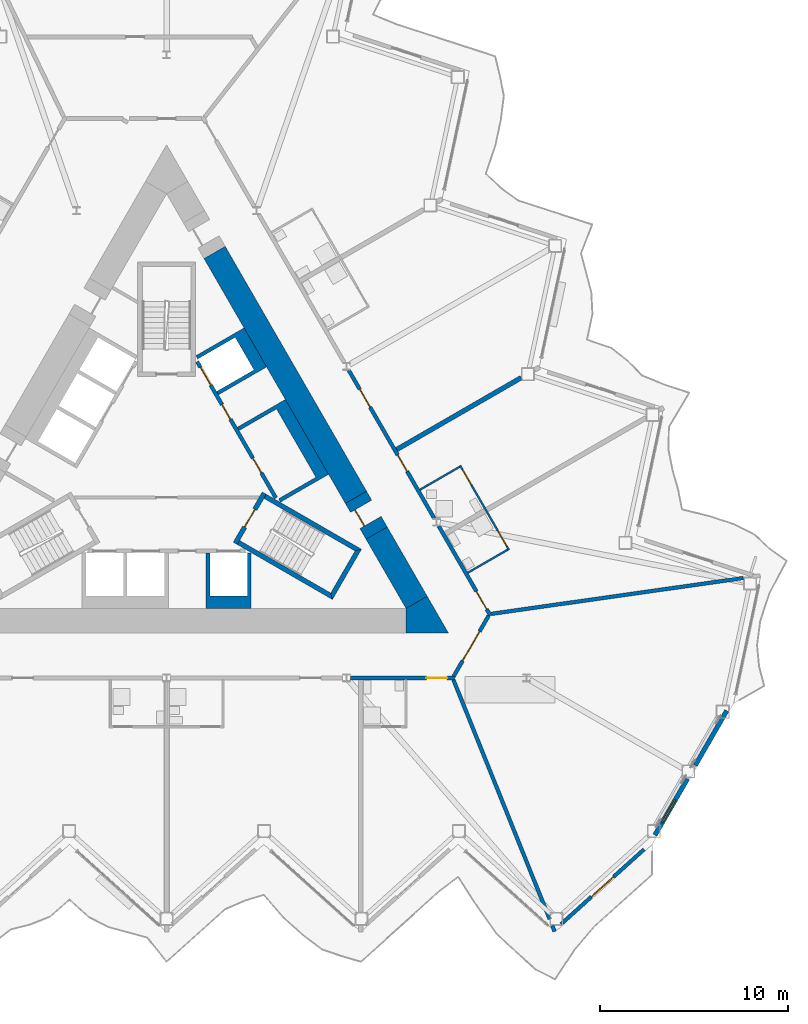
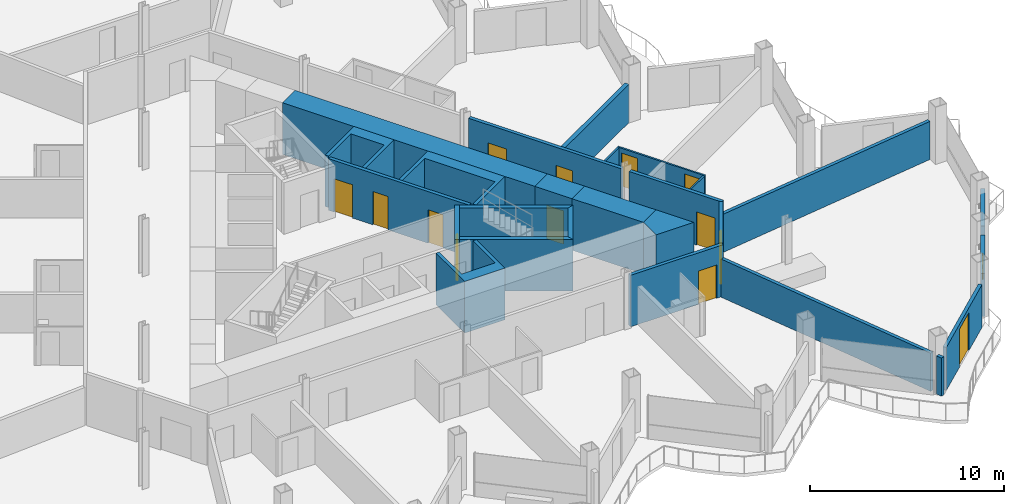
# One storey, part 13 of 24: 26 walls, 13 doors, 1 window, 14 openings.
"""IFC4 building model written with IfcOpenShell, lengths in metres."""

from ifc_helpers import new_model, si_unit, direction, frame, frame_2d, origin, place, context, subcontext, project, spatial, polyline, rectangle, outline, extrude, material, layer, layer_set, type_object, element, fill, save


model = new_model("IFC4")

# Units and contexts
model_context = context("Model", 3, precision=1e-05, world=origin(), true_north=direction((0.0, 1.0)))
body_context = subcontext(model_context, "Body", "Model", "MODEL_VIEW")
ifc_project = project(units=[si_unit("LENGTHUNIT", "METRE"), si_unit("AREAUNIT", "SQUARE_METRE"), si_unit("VOLUMEUNIT", "CUBIC_METRE"), si_unit("PLANEANGLEUNIT", "RADIAN"), si_unit("MASSUNIT", "GRAM", prefix="KILO")], contexts=[model_context])

# Site, building, storey
site_placement = place(None, origin())
site = spatial("IfcSite", under=ifc_project, at=site_placement, CompositionType="ELEMENT")
building_placement = place(site_placement, origin())
building = spatial("IfcBuilding", under=site, at=building_placement, Name="Cormorant Prow Tower", CompositionType="ELEMENT")
storey_placement = place(building_placement, frame((0.0, 0.0, 238.199951171875)))
storey = spatial("IfcBuildingStorey", under=building, at=storey_placement, Name="L52", CompositionType="ELEMENT", Elevation=238.199951171875)

# Walls
ifc_material_1 = material(Name="Concrete 8000 psi", Category="concrete")
ifc_layer_1 = layer(ifc_material_1, 1.300048828125)
ifc_layer_set_1 = layer_set([ifc_layer_1], Name="Concrete 8000 psi")
wall_type_1 = type_object("IfcWallType", Name="Core shear wall 1300", PredefinedType="SHEAR", material=ifc_layer_set_1)
wall_1_placement = place(storey_placement, frame((10.081298828125, -1.440673828125, 0.0), z_axis=(0.0, 0.0, 1.0), x_axis=(-0.500012180433, 0.866018371294, 0.0)))
element("IfcWall", 1, at=wall_1_placement, inside=storey, type_object=wall_type_1, Name="Core wall", PredefinedType="SHEAR", context=body_context, shape_type="SweptSolid", body=[
    extrude(rectangle(XDim=15.05029296875, YDim=1.300048828125, at=frame_2d((7.525146484375, 0.0))), origin(), (0.0, 0.0, 1.0), 3.25),
])
wall_2_placement = place(storey_placement, frame((13.311279296875, -7.035400390625, 0.0), z_axis=(0.0, 0.0, 1.0), x_axis=(-0.500003555838, 0.866023350811, 0.0)))
element("IfcWall", 2, at=wall_2_placement, inside=storey, type_object=wall_type_1, Name="Core wall", PredefinedType="SHEAR", context=body_context, shape_type="SweptSolid", body=[
    extrude(rectangle(XDim=4.26025390625, YDim=1.300048828125, at=frame_2d((2.130126953125, 0.0))), origin(), (0.0, 0.0, 1.0), 3.25),
])
wall_3_placement = place(storey_placement, origin())
element("IfcWall", 3, at=wall_3_placement, inside=storey, type_object=wall_type_1, Name="Core wall corner", PredefinedType="SHEAR", context=body_context, shape_type="SweptSolid", body=[
    extrude(outline(polyline([(12.748291015625, -8.660400390625), (12.748291015625, -7.3603515625), (13.874267578125, -6.710205078125), (15.0, -8.660400390625), (12.748291015625, -8.660400390625)])), origin(), (0.0, 0.0, 1.0), 3.25),
])

# Wall, opening, door
wall_4_placement = place(storey_placement, frame((11.18115234375, -3.345947265625, 0.0), z_axis=(0.0, 0.0, 1.0), x_axis=(-0.499946605688, 0.86605622881, 0.0)))
wall_4 = element("IfcWall", 4, at=wall_4_placement, inside=storey, type_object=wall_type_1, Name="Core wall door panel", PredefinedType="SHEAR", context=body_context, shape_type="SweptSolid", body=[
    extrude(rectangle(XDim=2.199951171875, YDim=1.300048828125, at=frame_2d((1.10009765625, 0.0))), origin(), (0.0, 0.0, 1.0), 3.25),
])
opening_1_placement = place(wall_4_placement, frame((0.64990234375, 0.0, 0.0)))
opening_1 = element("IfcOpeningElement", 5, at=opening_1_placement, cuts=wall_4, Name="Opening L52-C15", PredefinedType="OPENING", context=body_context, shape_type="SweptSolid", body=[
    extrude(rectangle(XDim=1.0, YDim=2.10009765625, at=frame_2d((0.5, 1.050048828125))), frame((0.0, 0.659912109375, 0.0), z_axis=(0.0, -1.0, 0.0), x_axis=(1.0, 0.0, 0.0)), (0.0, 0.0, 1.0), 1.320068359375),
])
ifc_material_2 = material(Name="Painted steel", Category="steel")
door_type_1 = type_object("IfcDoorType", Name="Service door 1000x2100", OperationType="NOTDEFINED", PredefinedType="DOOR", material=ifc_material_2)
door_1_placement = place(opening_1_placement, origin())
door_1 = element("IfcDoor", 6, at=door_1_placement, inside=storey, type_object=door_type_1, Name="Core door, Electrical room", OperationType="SINGLE_SWING_LEFT", OverallHeight=2.10009765625, OverallWidth=1.0, PredefinedType="DOOR", context=body_context, shape_type="SweptSolid", body=[
    extrude(rectangle(XDim=1.0, YDim=2.10009765625, at=frame_2d((0.5, 1.050048828125))), frame((0.0, 0.40478515625, 0.0), z_axis=(0.0, -1.0, 0.0), x_axis=(1.0, 0.0, 0.0)), (0.0, 0.0, 1.0), 0.050048828125),
])
fill(opening_1, door_1)

# Wall, openings, doors
ifc_material_3 = material(Name="Gypsum board corridor wall")
ifc_layer_2 = layer(ifc_material_3, 0.199951171875)
ifc_layer_set_2 = layer_set([ifc_layer_2], Name="Gypsum board corridor wall")
wall_type_2 = type_object("IfcWallType", Name="Corridor wall 200", PredefinedType="PARTITIONING", material=ifc_layer_set_2)
wall_5_placement = place(storey_placement, frame((9.699462890625, 5.320556640625, 0.0), z_axis=(0.0, 0.0, 1.0), x_axis=(0.49998193945, -0.866035830797, 0.0)))
wall_5 = element("IfcWall", 7, at=wall_5_placement, inside=storey, type_object=wall_type_2, Name="Corridor wall", PredefinedType="PARTITIONING", context=body_context, shape_type="SweptSolid", body=[
    extrude(rectangle(XDim=9.094482421875, YDim=0.199951171875, at=frame_2d((4.54736328125, 0.0))), origin(), (0.0, 0.0, 1.0), 3.25),
])
opening_2_placement = place(wall_5_placement, frame((5.2119140625, 0.0, 0.0)))
opening_2 = element("IfcOpeningElement", 8, at=opening_2_placement, cuts=wall_5, Name="Opening L52-F12", PredefinedType="OPENING", context=body_context, shape_type="SweptSolid", body=[
    extrude(rectangle(XDim=1.0, YDim=2.10009765625, at=frame_2d((0.5, 1.050048828125))), frame((0.0, 0.10986328125, 0.0), z_axis=(0.0, -1.0, 0.0), x_axis=(1.0, 0.0, 0.0)), (0.0, 0.0, 1.0), 0.219970703125),
])
opening_3_placement = place(wall_5_placement, frame((1.16162109375, 0.0, 0.0)))
opening_3 = element("IfcOpeningElement", 9, at=opening_3_placement, cuts=wall_5, Name="Opening L52-F14", PredefinedType="OPENING", context=body_context, shape_type="SweptSolid", body=[
    extrude(rectangle(XDim=1.10009765625, YDim=2.10009765625, at=frame_2d((0.550048828125, 1.050048828125))), frame((0.0, 0.10986328125, 0.0), z_axis=(0.0, -1.0, 0.0), x_axis=(1.0, 0.0, 0.0)), (0.0, 0.0, 1.0), 0.219970703125),
])
ifc_material_4 = material(Name="Timber door leaf", Category="wood")
door_type_2 = type_object("IfcDoorType", Name="Flat or room entrance door 1000x2100", OperationType="NOTDEFINED", PredefinedType="DOOR", material=ifc_material_4)
door_2_placement = place(opening_2_placement, origin())
door_2 = element("IfcDoor", 10, at=door_2_placement, inside=storey, type_object=door_type_2, Name="Guest room door", OperationType="SINGLE_SWING_LEFT", OverallHeight=2.10009765625, OverallWidth=1.0, PredefinedType="DOOR", context=body_context, shape_type="SweptSolid", body=[
    extrude(rectangle(XDim=1.0, YDim=2.10009765625, at=frame_2d((0.5, 1.050048828125))), frame((0.0, 0.02490234375, 0.0), z_axis=(0.0, -1.0, 0.0), x_axis=(1.0, 0.0, 0.0)), (0.0, 0.0, 1.0), 0.050048828125),
])
fill(opening_2, door_2)
ifc_material_5 = material(Name="Timber door leaf", Category="wood")
door_type_3 = type_object("IfcDoorType", Name="Suite entrance door 1100x2100", OperationType="NOTDEFINED", PredefinedType="DOOR", material=ifc_material_5)
door_3_placement = place(opening_3_placement, origin())
door_3 = element("IfcDoor", 11, at=door_3_placement, inside=storey, type_object=door_type_3, Name="Junior suite door", OperationType="SINGLE_SWING_RIGHT", OverallHeight=2.10009765625, OverallWidth=1.10009765625, PredefinedType="DOOR", context=body_context, shape_type="SweptSolid", body=[
    extrude(rectangle(XDim=1.10009765625, YDim=2.10009765625, at=frame_2d((0.550048828125, 1.050048828125))), frame((0.0, 0.02490234375, 0.0), z_axis=(0.0, -1.0, 0.0), x_axis=(1.0, 0.0, 0.0)), (0.0, 0.0, 1.0), 0.050048828125),
])
fill(opening_3, door_3)

# Wall, opening, door
wall_6_placement = place(storey_placement, frame((9.7880859375, -11.060302734375, 0.0), z_axis=(0.0, 0.0, 1.0), x_axis=(1.0, 0.0, 0.0)))
wall_6 = element("IfcWall", 12, at=wall_6_placement, inside=storey, type_object=wall_type_2, Name="Corridor wall", PredefinedType="PARTITIONING", context=body_context, shape_type="SweptSolid", body=[
    extrude(rectangle(XDim=5.542724609375, YDim=0.199951171875, at=frame_2d((2.771484375, 0.0))), origin(), (0.0, 0.0, 1.0), 3.25),
])
opening_4_placement = place(wall_6_placement, frame((4.039794921875, 0.0, 0.0)))
opening_4 = element("IfcOpeningElement", 13, at=opening_4_placement, cuts=wall_6, Name="Opening L52-F07", PredefinedType="OPENING", context=body_context, shape_type="SweptSolid", body=[
    extrude(rectangle(XDim=1.10009765625, YDim=2.10009765625, at=frame_2d((0.550048828125, 1.050048828125))), frame((0.0, 0.10986328125, 0.0), z_axis=(0.0, -1.0, 0.0), x_axis=(1.0, 0.0, 0.0)), (0.0, 0.0, 1.0), 0.219970703125),
])
door_4_placement = place(opening_4_placement, origin())
door_4 = element("IfcDoor", 14, at=door_4_placement, inside=storey, type_object=door_type_3, Name="Junior suite door", OperationType="SINGLE_SWING_RIGHT", OverallHeight=2.10009765625, OverallWidth=1.10009765625, PredefinedType="DOOR", context=body_context, shape_type="SweptSolid", body=[
    extrude(rectangle(XDim=1.10009765625, YDim=2.10009765625, at=frame_2d((0.550048828125, 1.050048828125))), frame((0.0, 0.02490234375, 0.0), z_axis=(0.0, -1.0, 0.0), x_axis=(1.0, 0.0, 0.0)), (0.0, 0.0, 1.0), 0.050048828125),
])
fill(opening_4, door_4)

wall_7_placement = place(storey_placement, frame((14.488525390625, -2.974609375, 0.0), z_axis=(0.0, 0.0, 1.0), x_axis=(0.500017753321, -0.866015153657, 0.0)))
wall_7 = element("IfcWall", 15, at=wall_7_placement, inside=storey, type_object=wall_type_2, Name="Corridor wall", PredefinedType="PARTITIONING", context=body_context, shape_type="SweptSolid", body=[
    extrude(rectangle(XDim=5.510498046875, YDim=0.199951171875, at=frame_2d((2.75537109375, 0.0))), origin(), (0.0, 0.0, 1.0), 3.25),
])
opening_5_placement = place(wall_7_placement, frame((4.009765625, 0.0, 0.0)))
opening_5 = element("IfcOpeningElement", 16, at=opening_5_placement, cuts=wall_7, Name="Opening L52-F10", PredefinedType="OPENING", context=body_context, shape_type="SweptSolid", body=[
    extrude(rectangle(XDim=1.10009765625, YDim=2.10009765625, at=frame_2d((0.550048828125, 1.050048828125))), frame((0.0, 0.10986328125, 0.0), z_axis=(0.0, -1.0, 0.0), x_axis=(1.0, 0.0, 0.0)), (0.0, 0.0, 1.0), 0.219970703125),
])
door_5_placement = place(opening_5_placement, origin())
door_5 = element("IfcDoor", 17, at=door_5_placement, inside=storey, type_object=door_type_3, Name="Junior suite door", OperationType="SINGLE_SWING_RIGHT", OverallHeight=2.10009765625, OverallWidth=1.10009765625, PredefinedType="DOOR", context=body_context, shape_type="SweptSolid", body=[
    extrude(rectangle(XDim=1.10009765625, YDim=2.10009765625, at=frame_2d((0.550048828125, 1.050048828125))), frame((0.0, 0.02490234375, 0.0), z_axis=(0.0, -1.0, 0.0), x_axis=(1.0, 0.0, 0.0)), (0.0, 0.0, 1.0), 0.050048828125),
])
fill(opening_5, door_5)

wall_8_placement = place(storey_placement, frame((15.281005859375, -10.9736328125, 0.0), z_axis=(0.0, 0.0, 1.0), x_axis=(0.499958791762, 0.866049194065, 0.0)))
wall_8 = element("IfcWall", 18, at=wall_8_placement, inside=storey, type_object=wall_type_2, Name="Corridor wall", PredefinedType="PARTITIONING", context=body_context, shape_type="SweptSolid", body=[
    extrude(rectangle(XDim=3.725830078125, YDim=0.199951171875, at=frame_2d((1.86279296875, 0.0))), origin(), (0.0, 0.0, 1.0), 3.25),
])
opening_6_placement = place(wall_8_placement, frame((0.962890625, 0.0, 0.0)))
opening_6 = element("IfcOpeningElement", 19, at=opening_6_placement, cuts=wall_8, Name="Opening L52-F09", PredefinedType="OPENING", context=body_context, shape_type="SweptSolid", body=[
    extrude(rectangle(XDim=1.800048828125, YDim=2.10009765625, at=frame_2d((0.89990234375, 1.050048828125))), frame((0.0, 0.10986328125, 0.0), z_axis=(0.0, -1.0, 0.0), x_axis=(1.0, 0.0, 0.0)), (0.0, 0.0, 1.0), 0.219970703125),
])
ifc_material_6 = material(Name="Timber door leaf", Category="wood")
door_type_4 = type_object("IfcDoorType", Name="Double door 1800x2100", OperationType="DOUBLE_DOOR_SINGLE_SWING", PredefinedType="DOOR", material=ifc_material_6)
door_6_placement = place(opening_6_placement, origin())
door_6 = element("IfcDoor", 20, at=door_6_placement, inside=storey, type_object=door_type_4, Name="Co-working space door", OperationType="DOUBLE_DOOR_SINGLE_SWING", OverallHeight=2.10009765625, OverallWidth=1.800048828125, PredefinedType="DOOR", context=body_context, shape_type="SweptSolid", body=[
    extrude(rectangle(XDim=1.800048828125, YDim=2.10009765625, at=frame_2d((0.89990234375, 1.050048828125))), frame((0.0, 0.02490234375, 0.0), z_axis=(0.0, -1.0, 0.0), x_axis=(1.0, 0.0, 0.0)), (0.0, 0.0, 1.0), 0.050048828125),
])
fill(opening_6, door_6)

# Walls
ifc_material_7 = material(Name="Gypsum board demising wall")
ifc_layer_3 = layer(ifc_material_7, 0.199951171875)
ifc_layer_set_3 = layer_set([ifc_layer_3], Name="Gypsum board demising wall")
wall_type_3 = type_object("IfcWallType", Name="Demising wall 200", PredefinedType="PARTITIONING", material=ifc_layer_set_3)
wall_9_placement = place(storey_placement, frame((15.268310546875, -11.153076171875, 0.0), z_axis=(0.0, 0.0, 1.0), x_axis=(0.373096979113, -0.927792349708, 0.0)))
element("IfcWall", 21, at=wall_9_placement, inside=storey, type_object=wall_type_3, Name="Demising wall", PredefinedType="PARTITIONING", context=body_context, shape_type="SweptSolid", body=[
    extrude(rectangle(XDim=13.73583984375, YDim=0.199951171875, at=frame_2d((6.867919921875, 0.0))), origin(), (0.0, 0.0, 1.0), 2.404296875),
])
wall_10_placement = place(storey_placement, frame((17.29296875, -7.64599609375, 0.0), z_axis=(0.0, 0.0, 1.0), x_axis=(0.990042285303, 0.140770285614, 0.0)))
element("IfcWall", 22, at=wall_10_placement, inside=storey, type_object=wall_type_3, Name="Demising wall", PredefinedType="PARTITIONING", context=body_context, shape_type="SweptSolid", body=[
    extrude(rectangle(XDim=13.544921875, YDim=0.199951171875, at=frame_2d((6.7724609375, 0.0))), origin(), (0.0, 0.0, 1.0), 2.404296875),
])
wall_11_placement = place(storey_placement, frame((20.53369140625, -24.246826171875, 0.0), z_axis=(0.0, 0.0, 1.0), x_axis=(0.372801499492, -0.927911117498, 0.0)))
element("IfcWall", 23, at=wall_11_placement, inside=storey, type_object=wall_type_3, Name="Demising wall", PredefinedType="PARTITIONING", context=body_context, shape_type="SweptSolid", body=[
    extrude(rectangle(XDim=0.328125, YDim=0.199951171875, at=frame_2d((0.1640625, 0.0))), origin(), (0.0, 0.0, 1.0), 2.404296875),
])

# Wall, openings, doors
ifc_material_8 = material(Name="Gypsum board partition")
ifc_layer_4 = layer(ifc_material_8, 0.10009765625)
ifc_layer_set_4 = layer_set([ifc_layer_4], Name="Gypsum board partition")
wall_type_4 = type_object("IfcWallType", Name="Internal partition 100", PredefinedType="PARTITIONING", material=ifc_layer_set_4)
wall_12_placement = place(storey_placement, frame((15.626953125, 0.253662109375, 0.0), z_axis=(0.0, 0.0, 1.0), x_axis=(0.500027264788, -0.866009661879, 0.0)))
wall_12 = element("IfcWall", 24, at=wall_12_placement, inside=storey, type_object=wall_type_4, Name="Internal partition", PredefinedType="PARTITIONING", context=body_context, shape_type="SweptSolid", body=[
    extrude(rectangle(XDim=5.199951171875, YDim=0.10009765625, at=frame_2d((2.60009765625, 0.0))), origin(), (0.0, 0.0, 1.0), 2.404296875),
])
opening_7_placement = place(wall_12_placement, frame((4.0, 0.0, 0.0)))
opening_7 = element("IfcOpeningElement", 25, at=opening_7_placement, cuts=wall_12, Name="Opening L52-F11", PredefinedType="OPENING", context=body_context, shape_type="SweptSolid", body=[
    extrude(rectangle(XDim=0.949951171875, YDim=2.10009765625, at=frame_2d((0.47509765625, 1.050048828125))), frame((0.0, 0.06005859375, 0.0), z_axis=(0.0, -1.0, 0.0), x_axis=(1.0, 0.0, 0.0)), (0.0, 0.0, 1.0), 0.1201171875),
])
opening_8_placement = place(wall_12_placement, frame((0.25, 0.0, 0.0)))
opening_8 = element("IfcOpeningElement", 26, at=opening_8_placement, cuts=wall_12, Name="Opening L52-F13", PredefinedType="OPENING", context=body_context, shape_type="SweptSolid", body=[
    extrude(rectangle(XDim=0.949951171875, YDim=2.10009765625, at=frame_2d((0.47509765625, 1.050048828125))), frame((0.0, 0.06005859375, 0.0), z_axis=(0.0, -1.0, 0.0), x_axis=(1.0, 0.0, 0.0)), (0.0, 0.0, 1.0), 0.1201171875),
])
ifc_material_9 = material(Name="Timber door leaf", Category="wood")
door_type_5 = type_object("IfcDoorType", Name="Bathroom door 950x2100", OperationType="NOTDEFINED", PredefinedType="DOOR", material=ifc_material_9)
door_7_placement = place(opening_7_placement, origin())
door_7 = element("IfcDoor", 27, at=door_7_placement, inside=storey, type_object=door_type_5, Name="Junior suite door", OperationType="SINGLE_SWING_RIGHT", OverallHeight=2.10009765625, OverallWidth=0.949951171875, PredefinedType="DOOR", context=body_context, shape_type="SweptSolid", body=[
    extrude(rectangle(XDim=0.949951171875, YDim=2.10009765625, at=frame_2d((0.47509765625, 1.050048828125))), frame((0.0, 0.02490234375, 0.0), z_axis=(0.0, -1.0, 0.0), x_axis=(1.0, 0.0, 0.0)), (0.0, 0.0, 1.0), 0.050048828125),
])
fill(opening_7, door_7)
door_8_placement = place(opening_8_placement, origin())
door_8 = element("IfcDoor", 28, at=door_8_placement, inside=storey, type_object=door_type_5, Name="Guest room door", OperationType="SINGLE_SWING_LEFT", OverallHeight=2.10009765625, OverallWidth=0.949951171875, PredefinedType="DOOR", context=body_context, shape_type="SweptSolid", body=[
    extrude(rectangle(XDim=0.949951171875, YDim=2.10009765625, at=frame_2d((0.47509765625, 1.050048828125))), frame((0.0, 0.02490234375, 0.0), z_axis=(0.0, -1.0, 0.0), x_axis=(1.0, 0.0, 0.0)), (0.0, 0.0, 1.0), 0.050048828125),
])
fill(opening_8, door_8)

# Walls
wall_13_placement = place(storey_placement, frame((16.037109375, -5.456298828125, 0.0), z_axis=(0.0, 0.0, 1.0), x_axis=(0.865989751695, 0.500061746146, 0.0)))
element("IfcWall", 29, at=wall_13_placement, inside=storey, type_object=wall_type_4, Name="Internal partition", PredefinedType="PARTITIONING", context=body_context, shape_type="SweptSolid", body=[
    extrude(rectangle(XDim=2.449951171875, YDim=0.10009765625, at=frame_2d((1.22509765625, 0.0))), origin(), (0.0, 0.0, 1.0), 2.404296875),
])
wall_14_placement = place(storey_placement, frame((13.487060546875, -1.03955078125, 0.0), z_axis=(0.0, 0.0, 1.0), x_axis=(0.866032905446, 0.499987006516, 0.0)))
element("IfcWall", 30, at=wall_14_placement, inside=storey, type_object=wall_type_4, Name="Internal partition", PredefinedType="PARTITIONING", context=body_context, shape_type="SweptSolid", body=[
    extrude(rectangle(XDim=2.44970703125, YDim=0.10009765625, at=frame_2d((1.224853515625, 0.0))), origin(), (0.0, 0.0, 1.0), 2.404296875),
])

# Wall, openings, doors
ifc_material_10 = material(Name="Concrete 5000 psi", Category="concrete")
ifc_layer_5 = layer(ifc_material_10, 0.199951171875)
ifc_layer_set_5 = layer_set([ifc_layer_5], Name="Concrete 5000 psi")
wall_type_5 = type_object("IfcWallType", Name="Lift lobby wall 200", PredefinedType="SOLIDWALL", material=ifc_layer_set_5)
wall_15_placement = place(storey_placement, frame((5.817138671875, -1.4755859375, 0.0), z_axis=(0.0, 0.0, 1.0), x_axis=(-0.500002616675, 0.866023893041, 0.0)))
wall_15 = element("IfcWall", 31, at=wall_15_placement, inside=storey, type_object=wall_type_5, Name="Lift lobby wall, ENE block", PredefinedType="SOLIDWALL", context=body_context, shape_type="SweptSolid", body=[
    extrude(rectangle(XDim=8.373046875, YDim=0.199951171875, at=frame_2d((4.1865234375, 0.0))), origin(), (0.0, 0.0, 1.0), 3.25),
])
opening_9_placement = place(wall_15_placement, frame((1.53662109375, 0.0, 0.0)))
opening_9 = element("IfcOpeningElement", 32, at=opening_9_placement, cuts=wall_15, Name="Opening L52-C05", PredefinedType="OPENING", context=body_context, shape_type="SweptSolid", body=[
    extrude(rectangle(XDim=0.89990234375, YDim=2.10009765625, at=frame_2d((0.449951171875, 1.050048828125))), frame((0.0, 0.10986328125, 0.0), z_axis=(0.0, -1.0, 0.0), x_axis=(1.0, 0.0, 0.0)), (0.0, 0.0, 1.0), 0.219970703125),
])
opening_10_placement = place(wall_15_placement, frame((4.836669921875, 0.0, 0.0)))
opening_10 = element("IfcOpeningElement", 33, at=opening_10_placement, cuts=wall_15, Name="Opening L52-C06", PredefinedType="OPENING", context=body_context, shape_type="SweptSolid", body=[
    extrude(rectangle(XDim=0.89990234375, YDim=2.10009765625, at=frame_2d((0.449951171875, 1.050048828125))), frame((0.0, 0.10986328125, 0.0), z_axis=(0.0, -1.0, 0.0), x_axis=(1.0, 0.0, 0.0)), (0.0, 0.0, 1.0), 0.219970703125),
])
opening_11_placement = place(wall_15_placement, frame((6.9365234375, 0.0, 0.0)))
opening_11 = element("IfcOpeningElement", 34, at=opening_11_placement, cuts=wall_15, Name="Opening L52-C07", PredefinedType="OPENING", context=body_context, shape_type="SweptSolid", body=[
    extrude(rectangle(XDim=1.10009765625, YDim=2.10009765625, at=frame_2d((0.550048828125, 1.050048828125))), frame((0.0, 0.10986328125, 0.0), z_axis=(0.0, -1.0, 0.0), x_axis=(1.0, 0.0, 0.0)), (0.0, 0.0, 1.0), 0.219970703125),
])
ifc_material_11 = material(Name="Painted steel", Category="steel")
door_type_6 = type_object("IfcDoorType", Name="Lift landing door 1100x2100", OperationType="SLIDING_TO_LEFT", PredefinedType="DOOR", material=ifc_material_11)
door_9_placement = place(opening_11_placement, origin())
door_9 = element("IfcDoor", 35, at=door_9_placement, inside=storey, type_object=door_type_6, Name="Landing door MR1", OperationType="SLIDING_TO_LEFT", OverallHeight=2.10009765625, OverallWidth=1.10009765625, PredefinedType="DOOR", context=body_context, shape_type="SweptSolid", body=[
    extrude(rectangle(XDim=1.10009765625, YDim=2.10009765625, at=frame_2d((0.550048828125, 1.050048828125))), frame((0.0, 0.02490234375, 0.0), z_axis=(0.0, -1.0, 0.0), x_axis=(1.0, 0.0, 0.0)), (0.0, 0.0, 1.0), 0.050048828125),
])
fill(opening_11, door_9)
ifc_material_12 = material(Name="Painted steel", Category="steel")
door_type_7 = type_object("IfcDoorType", Name="Service door 900x2100", OperationType="NOTDEFINED", PredefinedType="DOOR", material=ifc_material_12)
door_10_placement = place(opening_9_placement, origin())
door_10 = element("IfcDoor", 36, at=door_10_placement, inside=storey, type_object=door_type_7, Name="Service door, Telecom room", OperationType="SINGLE_SWING_LEFT", OverallHeight=2.10009765625, OverallWidth=0.89990234375, PredefinedType="DOOR", context=body_context, shape_type="SweptSolid", body=[
    extrude(rectangle(XDim=0.89990234375, YDim=2.10009765625, at=frame_2d((0.449951171875, 1.050048828125))), frame((0.0, 0.02490234375, 0.0), z_axis=(0.0, -1.0, 0.0), x_axis=(1.0, 0.0, 0.0)), (0.0, 0.0, 1.0), 0.050048828125),
])
fill(opening_9, door_10)
door_11_placement = place(opening_10_placement, origin())
door_11 = element("IfcDoor", 37, at=door_11_placement, inside=storey, type_object=door_type_7, Name="Service door, Electrical room", OperationType="SINGLE_SWING_RIGHT", OverallHeight=2.10009765625, OverallWidth=0.89990234375, PredefinedType="DOOR", context=body_context, shape_type="SweptSolid", body=[
    extrude(rectangle(XDim=0.89990234375, YDim=2.10009765625, at=frame_2d((0.449951171875, 1.050048828125))), frame((0.0, 0.02490234375, 0.0), z_axis=(0.0, -1.0, 0.0), x_axis=(1.0, 0.0, 0.0)), (0.0, 0.0, 1.0), 0.050048828125),
])
fill(opening_10, door_11)

# Walls
ifc_material_13 = material(Name="Concrete 8000 psi", Category="concrete")
ifc_layer_6 = layer(ifc_material_13, 0.199951171875)
ifc_layer_set_6 = layer_set([ifc_layer_6], Name="Concrete 8000 psi")
wall_type_6 = type_object("IfcWallType", Name="Lift shaft wall 200", PredefinedType="SHEAR", material=ifc_layer_set_6)
wall_16_placement = place(storey_placement, origin())
element("IfcWall", 38, at=wall_16_placement, inside=storey, type_object=wall_type_6, Name="Lift shaft walls, S block", PredefinedType="SHEAR", context=body_context, shape_type="SweptSolid", body=[
    extrude(outline(polyline([(2.10009765625, -7.3603515625), (2.10009765625, -4.39990234375), (2.300048828125, -4.39990234375), (2.300048828125, -6.699951171875), (4.300048828125, -6.699951171875), (4.300048828125, -4.39990234375), (4.5, -4.39990234375), (4.5, -7.3603515625), (2.10009765625, -7.3603515625)])), origin(), (0.0, 0.0, 1.0), 3.25),
])
wall_17_placement = place(storey_placement, origin())
element("IfcWall", 39, at=wall_17_placement, inside=storey, type_object=wall_type_6, Name="Lift shaft walls, ENE block", PredefinedType="SHEAR", context=body_context, shape_type="SweptSolid", body=[
    extrude(outline(polyline([(6.32421875, 3.7666015625), (8.624267578125, -0.217041015625), (8.230712890625, -0.444091796875), (6.060546875, -1.697021484375), (5.96044921875, -1.52392578125), (7.952392578125, -0.373779296875), (5.852294921875, 3.263427734375), (3.860595703125, 2.11328125), (3.760498046875, 2.28662109375), (5.930908203125, 3.53955078125), (6.32421875, 3.7666015625)])), origin(), (0.0, 0.0, 1.0), 3.25),
])
wall_18_placement = place(storey_placement, origin())
element("IfcWall", 40, at=wall_18_placement, inside=storey, type_object=wall_type_6, Name="Lift shaft walls, ENE block", PredefinedType="SHEAR", context=body_context, shape_type="SweptSolid", body=[
    extrude(outline(polyline([(5.32421875, 5.498779296875), (4.930908203125, 5.271728515625), (2.760498046875, 4.018798828125), (2.660400390625, 4.19189453125), (4.65234375, 5.341796875), (3.65234375, 7.073974609375), (1.660400390625, 5.923828125), (1.560546875, 6.09716796875), (3.730712890625, 7.35009765625), (4.124267578125, 7.5771484375), (5.32421875, 5.498779296875)])), origin(), (0.0, 0.0, 1.0), 3.25),
])
ifc_material_14 = material(Name="Concrete 8000 psi", Category="concrete")
ifc_layer_7 = layer(ifc_material_14, 0.25)
ifc_layer_set_7 = layer_set([ifc_layer_7], Name="Concrete 8000 psi")
wall_type_7 = type_object("IfcWallType", Name="Stair wall 250", PredefinedType="SHEAR", material=ifc_layer_set_7)
wall_19_placement = place(storey_placement, origin())
element("IfcWall", 41, at=wall_19_placement, inside=storey, type_object=wall_type_7, Name="Stair ST2 enclosure wall (flank)", PredefinedType="SHEAR", context=body_context, shape_type="SweptSolid", body=[
    extrude(outline(polyline([(3.76318359375, -3.95556640625), (8.82958984375, -6.880615234375), (8.738037109375, -6.5390625), (3.88818359375, -3.739013671875), (3.76318359375, -3.95556640625)])), origin(), (0.0, 0.0, 1.0), 3.25),
])
wall_20_placement = place(storey_placement, origin())
element("IfcWall", 42, at=wall_20_placement, inside=storey, type_object=wall_type_7, Name="Stair ST2 enclosure wall (end)", PredefinedType="SHEAR", context=body_context, shape_type="SweptSolid", body=[
    extrude(outline(polyline([(8.82958984375, -6.880615234375), (10.37353515625, -4.206298828125), (10.031982421875, -4.2978515625), (8.738037109375, -6.5390625), (8.82958984375, -6.880615234375)])), origin(), (0.0, 0.0, 1.0), 3.25),
])
wall_21_placement = place(storey_placement, origin())
element("IfcWall", 43, at=wall_21_placement, inside=storey, type_object=wall_type_7, Name="Stair ST2 enclosure wall (flank)", PredefinedType="SHEAR", context=body_context, shape_type="SweptSolid", body=[
    extrude(outline(polyline([(10.031982421875, -4.2978515625), (10.37353515625, -4.206298828125), (5.30712890625, -1.28125), (5.18212890625, -1.497802734375), (10.031982421875, -4.2978515625)])), origin(), (0.0, 0.0, 1.0), 3.25),
])

# Wall, opening, door
wall_22_placement = place(storey_placement, frame((3.655029296875, -3.89306640625, 0.0), z_axis=(0.0, 0.0, 1.0), x_axis=(0.499982516597, 0.866035497597, 0.0)))
wall_22 = element("IfcWall", 44, at=wall_22_placement, inside=storey, type_object=wall_type_7, Name="Stair ST2 door wall", PredefinedType="SHEAR", context=body_context, shape_type="SweptSolid", body=[
    extrude(rectangle(XDim=3.087890625, YDim=0.25, at=frame_2d((1.5439453125, 0.0))), origin(), (0.0, 0.0, 1.0), 3.25),
])
opening_12_placement = place(wall_22_placement, frame((0.993896484375, 0.0, 0.0)))
opening_12 = element("IfcOpeningElement", 45, at=opening_12_placement, cuts=wall_22, Name="Opening L52-C12", PredefinedType="OPENING", context=body_context, shape_type="SweptSolid", body=[
    extrude(rectangle(XDim=1.10009765625, YDim=2.10009765625, at=frame_2d((0.550048828125, 1.050048828125))), frame((0.0, 0.135009765625, 0.0), z_axis=(0.0, -1.0, 0.0), x_axis=(1.0, 0.0, 0.0)), (0.0, 0.0, 1.0), 0.27001953125),
])
ifc_material_15 = material(Name="Painted steel", Category="steel")
door_type_8 = type_object("IfcDoorType", Name="Stair door 1100x2100", OperationType="NOTDEFINED", PredefinedType="DOOR", material=ifc_material_15)
door_12_placement = place(opening_12_placement, origin())
door_12 = element("IfcDoor", 46, at=door_12_placement, inside=storey, type_object=door_type_8, Name="Stair ST2 door", OperationType="SINGLE_SWING_RIGHT", OverallHeight=2.10009765625, OverallWidth=1.10009765625, PredefinedType="DOOR", context=body_context, shape_type="SweptSolid", body=[
    extrude(rectangle(XDim=1.10009765625, YDim=2.10009765625, at=frame_2d((0.550048828125, 1.050048828125))), frame((0.0, 0.02490234375, 0.0), z_axis=(0.0, -1.0, 0.0), x_axis=(1.0, 0.0, 0.0)), (0.0, 0.0, 1.0), 0.050048828125),
])
fill(opening_12, door_12)

# Wall
ifc_material_16 = material(Name="Acoustic gypsum party wall")
ifc_layer_8 = layer(ifc_material_16, 0.25)
ifc_layer_set_8 = layer_set([ifc_layer_8], Name="Acoustic gypsum party wall")
wall_type_8 = type_object("IfcWallType", Name="Suite party wall 250", PredefinedType="PARTITIONING", material=ifc_layer_set_8)
wall_23_placement = place(storey_placement, frame((12.2509765625, 1.10107421875, 0.0), z_axis=(0.0, 0.0, 1.0), x_axis=(0.866020808234, 0.500007959642, 0.0)))
element("IfcWall", 47, at=wall_23_placement, inside=storey, type_object=wall_type_8, Name="Suite party wall", PredefinedType="PARTITIONING", context=body_context, shape_type="SweptSolid", body=[
    extrude(rectangle(XDim=7.64892578125, YDim=0.25, at=frame_2d((3.824462890625, 0.0))), origin(), (0.0, 0.0, 1.0), 2.404296875),
])

# Wall, opening, window
ifc_material_17 = material(Name="Terracotta", Category="masonry")
ifc_layer_9 = layer(ifc_material_17, 0.25)
ifc_layer_set_9 = layer_set([ifc_layer_9], Name="Terracotta")
wall_type_9 = type_object("IfcWallType", Name="Terracotta bay wall 250", PredefinedType="SOLIDWALL", material=ifc_layer_set_9)
wall_24_placement = place(storey_placement, frame((26.001708984375, -19.426513671875, 0.0), z_axis=(0.0, 0.0, 1.0), x_axis=(0.499987726745, 0.866032489635, 0.0)))
wall_24 = element("IfcWall", 48, at=wall_24_placement, inside=storey, type_object=wall_type_9, Name="Terracotta bay wall ESE00", PredefinedType="SOLIDWALL", context=body_context, shape_type="SweptSolid", body=[
    extrude(rectangle(XDim=3.4521484375, YDim=0.25, at=frame_2d((1.72607421875, 0.0))), origin(), (0.0, 0.0, 1.0), 2.700927734375),
])
opening_13_placement = place(wall_24_placement, frame((0.75, 0.0, 1.800048828125)))
opening_13 = element("IfcOpeningElement", 49, at=opening_13_placement, cuts=wall_24, Name="Opening WN4", PredefinedType="OPENING", context=body_context, shape_type="SweptSolid", body=[
    extrude(rectangle(XDim=1.39990234375, YDim=0.699951171875, at=frame_2d((0.699951171875, 0.35009765625))), frame((0.0, 0.135009765625, 0.0), z_axis=(0.0, -1.0, 0.0), x_axis=(1.0, 0.0, 0.0)), (0.0, 0.0, 1.0), 0.27001953125),
])
ifc_material_18 = material(Name="Aluminium 6063-T6", Category="aluminium")
window_type = type_object("IfcWindowType", Name="Corner bay window 1400x700", PartitioningType="SINGLE_PANEL", PredefinedType="WINDOW", material=ifc_material_18)
window_placement = place(opening_13_placement, origin())
window = element("IfcWindow", 50, at=window_placement, inside=storey, type_object=window_type, Name="Corner bay window ESE00", OverallHeight=0.699951171875, OverallWidth=1.39990234375, PartitioningType="SINGLE_PANEL", PredefinedType="WINDOW", context=body_context, shape_type="SweptSolid", body=[
    extrude(rectangle(XDim=1.39990234375, YDim=0.699951171875, at=frame_2d((0.699951171875, 0.35009765625))), frame((0.0, 0.030029296875, 0.0), z_axis=(0.0, -1.0, 0.0), x_axis=(1.0, 0.0, 0.0)), (0.0, 0.0, 1.0), 0.06005859375),
])
fill(opening_13, window)

# Wall
wall_25_placement = place(storey_placement, frame((28.146484375, -15.711669921875, 0.0), z_axis=(0.0, 0.0, 1.0), x_axis=(0.500003693016, 0.86602327161, 0.0)))
element("IfcWall", 51, at=wall_25_placement, inside=storey, type_object=wall_type_9, Name="Terracotta bay wall ESE01", PredefinedType="SOLIDWALL", context=body_context, shape_type="SweptSolid", body=[
    extrude(rectangle(XDim=3.3564453125, YDim=0.25, at=frame_2d((1.67822265625, 0.0))), origin(), (0.0, 0.0, 1.0), 2.700927734375),
])

# Wall, opening, door
ifc_material_19 = material(Name="Terracotta", Category="masonry")
ifc_layer_10 = layer(ifc_material_19, 0.199951171875)
ifc_layer_set_10 = layer_set([ifc_layer_10], Name="Terracotta")
wall_type_10 = type_object("IfcWallType", Name="Terracotta jamb wall 200", PredefinedType="SOLIDWALL", material=ifc_layer_set_10)
wall_26_placement = place(storey_placement, frame((20.992919921875, -24.170166015625, 0.0), z_axis=(0.0, 0.0, 1.0), x_axis=(0.743143336638, 0.669132259878, 0.0)))
wall_26 = element("IfcWall", 52, at=wall_26_placement, inside=storey, type_object=wall_type_10, Name="Terracotta jamb wall S09", PredefinedType="SOLIDWALL", context=body_context, shape_type="SweptSolid", body=[
    extrude(rectangle(XDim=5.95751953125, YDim=0.199951171875, at=frame_2d((2.978759765625, 0.0))), origin(), (0.0, 0.0, 1.0), 2.700927734375),
])
opening_14_placement = place(wall_26_placement, frame((2.1787109375, 0.0, 0.0)))
opening_14 = element("IfcOpeningElement", 53, at=opening_14_placement, cuts=wall_26, Name="Opening ED52.05", PredefinedType="OPENING", context=body_context, shape_type="SweptSolid", body=[
    extrude(rectangle(XDim=1.60009765625, YDim=2.39990234375, at=frame_2d((0.800048828125, 1.199951171875))), frame((0.0, 0.10986328125, 0.0), z_axis=(0.0, -1.0, 0.0), x_axis=(1.0, 0.0, 0.0)), (0.0, 0.0, 1.0), 0.219970703125),
])
ifc_material_20 = material(Name="Aluminium 6063-T6", Category="aluminium")
door_type_9 = type_object("IfcDoorType", Name="Balcony door 1600x2400", OperationType="DOUBLE_DOOR_SINGLE_SWING", PredefinedType="DOOR", material=ifc_material_20)
door_13_placement = place(opening_14_placement, origin())
door_13 = element("IfcDoor", 54, at=door_13_placement, inside=storey, type_object=door_type_9, Name="Balcony door S09 ED52.05", OperationType="DOUBLE_DOOR_SINGLE_SWING", OverallHeight=2.39990234375, OverallWidth=1.60009765625, PredefinedType="DOOR", context=body_context, shape_type="SweptSolid", body=[
    extrude(rectangle(XDim=1.60009765625, YDim=2.39990234375, at=frame_2d((0.800048828125, 1.199951171875))), frame((0.0, 0.02490234375, 0.0), z_axis=(0.0, -1.0, 0.0), x_axis=(1.0, 0.0, 0.0)), (0.0, 0.0, 1.0), 0.050048828125),
])
fill(opening_14, door_13)

save(model, "model.ifc")
